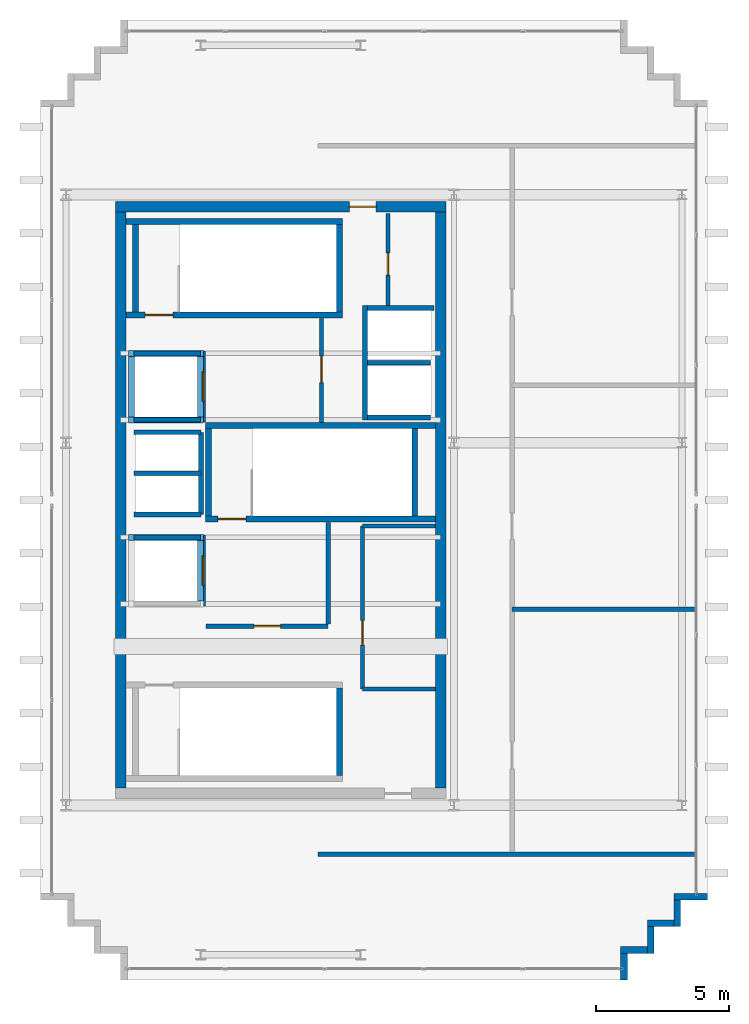
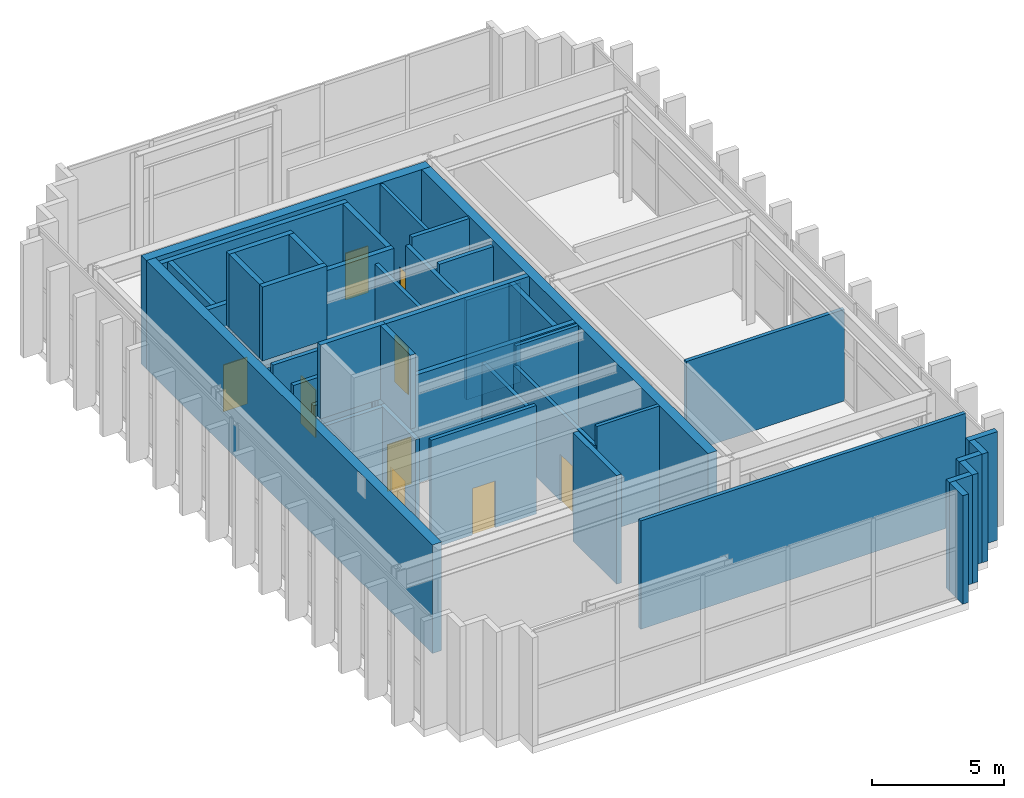
# One storey, part 12 of 14: 46 walls, 9 doors, 9 openings.
"""IFC4 building model written with IfcOpenShell, lengths in metres."""

from ifc_helpers import new_model, si_unit, direction, frame, frame_2d, origin, place, context, subcontext, project, spatial, rectangle, extrude, source, transform, mapped, material, layer, layer_set, type_object, element, fill, save


model = new_model("IFC4")

# Units and contexts
model_context = context("Model", 3, precision=1e-05, world=origin(), true_north=direction((0.0, 1.0)))
body_context = subcontext(model_context, "Body", "Model", "MODEL_VIEW")
ifc_project = project(units=[si_unit("LENGTHUNIT", "METRE"), si_unit("AREAUNIT", "SQUARE_METRE"), si_unit("VOLUMEUNIT", "CUBIC_METRE"), si_unit("PLANEANGLEUNIT", "RADIAN"), si_unit("MASSUNIT", "GRAM", prefix="KILO")], contexts=[model_context])

# Site, building, storey
site_placement = place(None, origin())
site = spatial("IfcSite", under=ifc_project, at=site_placement, CompositionType="ELEMENT")
building_placement = place(site_placement, origin())
building = spatial("IfcBuilding", under=site, at=building_placement, Name="Ocotamira Hotel", CompositionType="ELEMENT")
storey_placement = place(building_placement, frame((0.0, 0.0, 309.60009765625)))
storey = spatial("IfcBuildingStorey", under=building, at=storey_placement, Name="L79", CompositionType="ELEMENT", Elevation=309.60009765625)

# Wall, opening, door
ifc_material_1 = material(Name="Concrete C50/60", Category="concrete")
ifc_layer_1 = layer(ifc_material_1, 0.39990234375)
ifc_layer_set_1 = layer_set([ifc_layer_1], Name="Concrete C50/60")
wall_type_1 = type_object("IfcWallType", Name="WL-CORE-400", PredefinedType="SHEAR", material=ifc_layer_set_1)
wall_1_placement = place(storey_placement, frame((10.800048828125, 37.0, 0.0), z_axis=(0.0, 0.0, 1.0), x_axis=(1.0, 0.0, 0.0)))
wall_1 = element("IfcWall", 1, at=wall_1_placement, inside=storey, type_object=wall_type_1, Name="L79 Shear Core Wall WCORE-N", PredefinedType="SHEAR", context=body_context, shape_type="SweptSolid", body=[
    extrude(rectangle(XDim=12.39990234375, YDim=0.39990234375, at=frame_2d((6.199951171875, 0.0))), origin(), (0.0, 0.0, 1.0), 5.0),
])
opening_1_placement = place(wall_1_placement, frame((8.780029296875, 0.0, 0.0)))
opening_1 = element("IfcOpeningElement", 2, at=opening_1_placement, cuts=wall_1, Name="Opening D-FR2", PredefinedType="OPENING", context=body_context, shape_type="SweptSolid", body=[
    extrude(rectangle(XDim=1.0, YDim=2.14990234375, at=frame_2d((0.5, 1.074951171875))), frame((0.0, 0.2099609375, 0.0), z_axis=(0.0, -1.0, 0.0), x_axis=(1.0, 0.0, 0.0)), (0.0, 0.0, 1.0), 0.419921875),
])
ifc_material_2 = material(Name="Fire-rated acoustic timber-veneer door", Category="wood")
door_type_1 = type_object("IfcDoorType", Name="DR-FIRE-1000", OperationType="NOTDEFINED", PredefinedType="DOOR", material=ifc_material_2)
shared_shape_1 = source(origin(), body_context, "Body", "SweptSolid", [
    extrude(rectangle(XDim=1.0, YDim=2.14990234375, at=frame_2d((0.5, 1.074951171875))), frame((0.0, 0.02490234375, 0.0), z_axis=(0.0, -1.0, 0.0), x_axis=(1.0, 0.0, 0.0)), (0.0, 0.0, 1.0), 0.050048828125),
])
door_1_placement = place(opening_1_placement, origin())
door_1 = element("IfcDoor", 3, at=door_1_placement, inside=storey, type_object=door_type_1, Name="L79 Door ID-L79-WLOB-N-D [ID-L79-WLOB-N-D]", OperationType="SINGLE_SWING_RIGHT", OverallHeight=2.14990234375, OverallWidth=1.0, PredefinedType="DOOR", context=body_context, shape_type="MappedRepresentation", body=[
    mapped(shared_shape_1, transform((0.0, 0.0, 0.0), scale=1.0)),
])
fill(opening_1, door_1)

# Walls
for number, where, z_axis, x_axis, name in (
    (4, (11.0, 15.199951171875, 0.0), (0.0, 0.0, 1.0), (0.0, 1.0, 0.0), "L79 Shear Core Wall WCORE-W"),
    (5, (23.0, 15.199951171875, 0.0), (0.0, 0.0, 1.0), (0.0, 1.0, 0.0), "L79 Shear Core Wall WCORE-E"),
):
    element("IfcWall", number, at=place(storey_placement, frame(where, z_axis=z_axis, x_axis=x_axis)), inside=storey, type_object=wall_type_1, Name=name, PredefinedType="SHEAR", context=body_context, shape_type="SweptSolid", body=[
        extrude(rectangle(XDim=21.60009765625, YDim=0.39990234375, at=frame_2d((10.800048828125, 0.0))), origin(), (0.0, 0.0, 1.0), 5.0),
    ])
ifc_material_3 = material(Name="Precast concrete C45/55", Category="concrete")
ifc_layer_2 = layer(ifc_material_3, 0.25)
ifc_layer_set_2 = layer_set([ifc_layer_2], Name="Precast concrete C45/55")
wall_type_2 = type_object("IfcWallType", Name="WL-EXT-SER-250", PredefinedType="SOLIDWALL", material=ifc_layer_set_2)
for number, where, z_axis, x_axis, name in (
    (6, (29.875, 8.0, 0.0), (0.0, 0.0, 1.0), (0.0, 1.0, 0.0), "L79 Serrated Corner Wall 01"),
    (7, (29.75, 9.125, 0.0), (0.0, 0.0, 1.0), (1.0, 0.0, 0.0), "L79 Serrated Corner Wall 02"),
    (8, (30.875, 9.0, 0.0), (0.0, 0.0, 1.0), (0.0, 1.0, 0.0), "L79 Serrated Corner Wall 03"),
    (9, (30.75, 10.125, 0.0), (0.0, 0.0, 1.0), (1.0, 0.0, 0.0), "L79 Serrated Corner Wall 04"),
    (10, (31.875, 10.0, 0.0), (0.0, 0.0, 1.0), (0.0, 1.0, 0.0), "L79 Serrated Corner Wall 05"),
):
    element("IfcWall", number, at=place(storey_placement, frame(where, z_axis=z_axis, x_axis=x_axis)), inside=storey, type_object=wall_type_2, Name=name, PredefinedType="SOLIDWALL", context=body_context, shape_type="SweptSolid", body=[
        extrude(rectangle(XDim=1.0, YDim=0.25, at=frame_2d((0.5, 0.0))), origin(), (0.0, 0.0, 1.0), 5.0),
    ])
wall_2_placement = place(storey_placement, frame((31.75, 11.125, 0.0), z_axis=(0.0, 0.0, 1.0), x_axis=(1.0, 0.0, 0.0)))
element("IfcWall", 11, at=wall_2_placement, inside=storey, type_object=wall_type_2, Name="L79 Serrated Corner Wall 06", PredefinedType="SOLIDWALL", context=body_context, shape_type="SweptSolid", body=[
    extrude(rectangle(XDim=1.25, YDim=0.25, at=frame_2d((0.625, 0.0))), origin(), (0.0, 0.0, 1.0), 5.0),
])

# Wall, opening, door
ifc_material_4 = material(Name="Acoustic double-layer fire gypsum board partition", Category="gypsum")
ifc_layer_3 = layer(ifc_material_4, 0.159912109375)
ifc_layer_set_3 = layer_set([ifc_layer_3], Name="Acoustic double-layer fire gypsum board partition")
wall_type_3 = type_object("IfcWallType", Name="WL-FIRE-160", PredefinedType="PARTITIONING", material=ifc_layer_set_3)
wall_3_placement = place(storey_placement, frame((14.199951171875, 21.27001953125, 0.0), z_axis=(0.0, 0.0, 1.0), x_axis=(1.0, 0.0, 0.0)))
wall_3 = element("IfcWall", 12, at=wall_3_placement, inside=storey, type_object=wall_type_3, Name="L79 Interior Wall PW-L79-FSAE1-S", PredefinedType="PARTITIONING", context=body_context, shape_type="SweptSolid", body=[
    extrude(rectangle(XDim=4.580078125, YDim=0.159912109375, at=frame_2d((2.2900390625, 0.0))), origin(), (0.0, 0.0, 1.0), 5.0),
])
opening_2_placement = place(wall_3_placement, frame((1.800048828125, 0.0, 0.0)))
opening_2 = element("IfcOpeningElement", 13, at=opening_2_placement, cuts=wall_3, Name="Opening D-FR2", PredefinedType="OPENING", context=body_context, shape_type="SweptSolid", body=[
    extrude(rectangle(XDim=1.0, YDim=2.14990234375, at=frame_2d((0.5, 1.074951171875))), frame((0.0, 0.08984375, 0.0), z_axis=(0.0, -1.0, 0.0), x_axis=(1.0, 0.0, 0.0)), (0.0, 0.0, 1.0), 0.179931640625),
])
door_2_placement = place(opening_2_placement, origin())
door_2 = element("IfcDoor", 14, at=door_2_placement, inside=storey, type_object=door_type_1, Name="L79 Door ID-L79-FSAE1-D [ID-L79-FSAE1-D]", OperationType="SINGLE_SWING_LEFT", OverallHeight=2.14990234375, OverallWidth=1.0, PredefinedType="DOOR", context=body_context, shape_type="MappedRepresentation", body=[
    mapped(shared_shape_1, transform((0.0, 0.0, 0.0), scale=1.0)),
])
fill(opening_2, door_2)

# Wall
wall_4_placement = place(storey_placement, frame((18.780029296875, 21.35009765625, 0.0), z_axis=(0.0, 0.0, 1.0), x_axis=(0.0, 1.0, 0.0)))
element("IfcWall", 15, at=wall_4_placement, inside=storey, type_object=wall_type_3, Name="L79 Interior Wall PW-L79-FSAE1-E", PredefinedType="PARTITIONING", context=body_context, shape_type="SweptSolid", body=[
    extrude(rectangle(XDim=3.809814453125, YDim=0.159912109375, at=frame_2d((1.90478515625, 0.0))), origin(), (0.0, 0.0, 1.0), 4.5908203125),
])

# Wall, opening, door
wall_5_placement = place(storey_placement, frame((18.530029296875, 28.89990234375, 0.0), z_axis=(0.0, 0.0, 1.0), x_axis=(0.0, 1.0, 0.0)))
wall_5 = element("IfcWall", 16, at=wall_5_placement, inside=storey, type_object=wall_type_3, Name="L79 Interior Wall PW-L79-FSAE2-E", PredefinedType="PARTITIONING", context=body_context, shape_type="SweptSolid", body=[
    extrude(rectangle(XDim=3.900146484375, YDim=0.159912109375, at=frame_2d((1.9501953125, 0.0))), origin(), (0.0, 0.0, 1.0), 4.5908203125),
])
opening_3_placement = place(wall_5_placement, frame((1.5, 0.0, 0.0)))
opening_3 = element("IfcOpeningElement", 17, at=opening_3_placement, cuts=wall_5, Name="Opening D-FR2", PredefinedType="OPENING", context=body_context, shape_type="SweptSolid", body=[
    extrude(rectangle(XDim=1.0, YDim=2.14990234375, at=frame_2d((0.5, 1.074951171875))), frame((0.0, 0.08984375, 0.0), z_axis=(0.0, -1.0, 0.0), x_axis=(1.0, 0.0, 0.0)), (0.0, 0.0, 1.0), 0.179931640625),
])
door_3_placement = place(opening_3_placement, origin())
door_3 = element("IfcDoor", 18, at=door_3_placement, inside=storey, type_object=door_type_1, Name="L79 Door ID-L79-FSAE2-D [ID-L79-FSAE2-D]", OperationType="SINGLE_SWING_RIGHT", OverallHeight=2.14990234375, OverallWidth=1.0, PredefinedType="DOOR", context=body_context, shape_type="MappedRepresentation", body=[
    mapped(shared_shape_1, transform((0.0, 0.0, 0.0), scale=1.0)),
])
fill(opening_3, door_3)

# Walls
wall_6_placement = place(storey_placement, frame((18.39990234375, 12.719970703125, 0.0), z_axis=(0.0, 0.0, 1.0), x_axis=(1.0, 0.0, 0.0)))
element("IfcWall", 19, at=wall_6_placement, inside=storey, type_object=wall_type_3, Name="L79 Interior Wall PW-L79-L79-CS", PredefinedType="PARTITIONING", context=body_context, shape_type="SweptSolid", body=[
    extrude(rectangle(XDim=14.18017578125, YDim=0.159912109375, at=frame_2d((7.090087890625, 0.0))), origin(), (0.0, 0.0, 1.0), 5.0),
])
wall_7_placement = place(storey_placement, frame((25.679931640625, 21.89990234375, 0.0), z_axis=(0.0, 0.0, 1.0), x_axis=(1.0, 0.0, 0.0)))
element("IfcWall", 20, at=wall_7_placement, inside=storey, type_object=wall_type_3, Name="L79 Interior Wall PW-L79-L79-D1", PredefinedType="PARTITIONING", context=body_context, shape_type="SweptSolid", body=[
    extrude(rectangle(XDim=6.900146484375, YDim=0.159912109375, at=frame_2d((3.4501953125, 0.0))), origin(), (0.0, 0.0, 1.0), 4.220947265625),
])

# Wall, opening, door
ifc_material_5 = material(Name="Acoustic hospitality gypsum board partition", Category="gypsum")
ifc_layer_4 = layer(ifc_material_5, 0.14208984375)
ifc_layer_set_4 = layer_set([ifc_layer_4], Name="Acoustic hospitality gypsum board partition")
wall_type_4 = type_object("IfcWallType", Name="WL-PART-142", PredefinedType="PARTITIONING", material=ifc_layer_set_4)
wall_8_placement = place(storey_placement, frame((21.02001953125, 33.280029296875, 0.0), z_axis=(0.0, 0.0, 1.0), x_axis=(0.0, 1.0, 0.0)))
wall_8 = element("IfcWall", 21, at=wall_8_placement, inside=storey, type_object=wall_type_4, Name="L79 Interior Wall PW-L79-WC-NE-W", PredefinedType="PARTITIONING", context=body_context, shape_type="SweptSolid", body=[
    extrude(rectangle(XDim=3.469970703125, YDim=0.14208984375, at=frame_2d((1.73486328125, 0.0))), origin(), (0.0, 0.0, 1.0), 5.0),
])
opening_4_placement = place(wall_8_placement, frame((1.14990234375, 0.0, 0.0)))
opening_4 = element("IfcOpeningElement", 22, at=opening_4_placement, cuts=wall_8, Name="Opening D-SV1", PredefinedType="OPENING", context=body_context, shape_type="SweptSolid", body=[
    extrude(rectangle(XDim=0.840087890625, YDim=2.10009765625, at=frame_2d((0.419921875, 1.050048828125))), frame((0.0, 0.0810546875, 0.0), z_axis=(0.0, -1.0, 0.0), x_axis=(1.0, 0.0, 0.0)), (0.0, 0.0, 1.0), 0.162109375),
])
ifc_material_6 = material(Name="Fire-rated painted steel service door", Category="steel")
door_type_2 = type_object("IfcDoorType", Name="DR-SERV-840", OperationType="NOTDEFINED", PredefinedType="DOOR", material=ifc_material_6)
shared_shape_2 = source(origin(), body_context, "Body", "SweptSolid", [
    extrude(rectangle(XDim=0.840087890625, YDim=2.10009765625, at=frame_2d((0.419921875, 1.050048828125))), frame((0.0, 0.02490234375, 0.0), z_axis=(0.0, -1.0, 0.0), x_axis=(1.0, 0.0, 0.0)), (0.0, 0.0, 1.0), 0.050048828125),
])
door_4_placement = place(opening_4_placement, origin())
door_4 = element("IfcDoor", 23, at=door_4_placement, inside=storey, type_object=door_type_2, Name="L79 Door ID-L79-WC-NE-D [ID-L79-WC-NE-D]", OperationType="SINGLE_SWING_LEFT", OverallHeight=2.10009765625, OverallWidth=0.840087890625, PredefinedType="DOOR", context=body_context, shape_type="MappedRepresentation", body=[
    mapped(shared_shape_2, transform((0.0, 0.0, 0.0), scale=1.0)),
])
fill(opening_4, door_4)

# Walls
ifc_layer_5 = layer(ifc_material_5, 0.14990234375)
ifc_layer_set_5 = layer_set([ifc_layer_5], Name="Acoustic hospitality gypsum board partition")
wall_type_5 = type_object("IfcWallType", Name="WL-PART-150", PredefinedType="PARTITIONING", material=ifc_layer_set_5)
for number, where, z_axis, x_axis, name in (
    (24, (20.070068359375, 18.919921875, 0.0), (0.0, 0.0, 1.0), (1.0, 0.0, 0.0), "L79 Interior Wall PW-L79-W-FREED-HI-S"),
    (25, (20.070068359375, 25.030029296875, 0.0), (0.0, 0.0, 1.0), (1.0, 0.0, 0.0), "L79 Interior Wall PW-L79-W-FREED-HI-N"),
):
    element("IfcWall", number, at=place(storey_placement, frame(where, z_axis=z_axis, x_axis=x_axis)), inside=storey, type_object=wall_type_5, Name=name, PredefinedType="PARTITIONING", context=body_context, shape_type="SweptSolid", body=[
        extrude(rectangle(XDim=2.72998046875, YDim=0.14990234375, at=frame_2d((1.364990234375, 0.0))), origin(), (0.0, 0.0, 1.0), 5.0),
    ])

# Wall, opening, door
wall_9_placement = place(storey_placement, frame((20.070068359375, 18.919921875, 0.0), z_axis=(0.0, 0.0, 1.0), x_axis=(0.0, 1.0, 0.0)))
wall_9 = element("IfcWall", 26, at=wall_9_placement, inside=storey, type_object=wall_type_5, Name="L79 Interior Wall PW-L79-W-FREED-HI-W", PredefinedType="PARTITIONING", context=body_context, shape_type="SweptSolid", body=[
    extrude(rectangle(XDim=6.110107421875, YDim=0.14990234375, at=frame_2d((3.05517578125, 0.0))), origin(), (0.0, 0.0, 1.0), 4.099853515625),
])
opening_5_placement = place(wall_9_placement, frame((1.64990234375, 0.0, 0.0)))
opening_5 = element("IfcOpeningElement", 27, at=opening_5_placement, cuts=wall_9, Name="Opening D-SV3", PredefinedType="OPENING", context=body_context, shape_type="SweptSolid", body=[
    extrude(rectangle(XDim=0.919921875, YDim=2.14990234375, at=frame_2d((0.4599609375, 1.074951171875))), frame((0.0, 0.0849609375, 0.0), z_axis=(0.0, -1.0, 0.0), x_axis=(1.0, 0.0, 0.0)), (0.0, 0.0, 1.0), 0.169921875),
])
ifc_material_7 = material(Name="Fire-rated walnut hospitality door", Category="wood")
door_type_3 = type_object("IfcDoorType", Name="DR-SERV-920", OperationType="NOTDEFINED", PredefinedType="DOOR", material=ifc_material_7)
shared_shape_3 = source(origin(), body_context, "Body", "SweptSolid", [
    extrude(rectangle(XDim=0.919921875, YDim=2.14990234375, at=frame_2d((0.4599609375, 1.074951171875))), frame((0.0, 0.02490234375, 0.0), z_axis=(0.0, -1.0, 0.0), x_axis=(1.0, 0.0, 0.0)), (0.0, 0.0, 1.0), 0.050048828125),
])
door_5_placement = place(opening_5_placement, origin())
door_5 = element("IfcDoor", 28, at=door_5_placement, inside=storey, type_object=door_type_3, Name="L79 Door ID-L79-W-FREED-HI-D [ID-L79-W-FREED-HI-D]", OperationType="SINGLE_SWING_RIGHT", OverallHeight=2.14990234375, OverallWidth=0.919921875, PredefinedType="DOOR", context=body_context, shape_type="MappedRepresentation", body=[
    mapped(shared_shape_3, transform((0.0, 0.0, 0.0), scale=1.0)),
])
fill(opening_5, door_5)

# Walls
ifc_material_8 = material(Name="Fire-rated gypsum shaftliner board assembly", Category="gypsum")
ifc_layer_6 = layer(ifc_material_8, 0.179931640625)
ifc_layer_set_6 = layer_set([ifc_layer_6], Name="Fire-rated gypsum shaftliner board assembly")
wall_type_6 = type_object("IfcWallType", Name="WL-SHAFT-180", PredefinedType="SOLIDWALL", material=ifc_layer_set_6)
wall_10_placement = place(storey_placement, frame((20.159912109375, 29.0, 0.0), z_axis=(0.0, 0.0, 1.0), x_axis=(0.0, 1.0, 0.0)))
element("IfcWall", 29, at=wall_10_placement, inside=storey, type_object=wall_type_6, Name="L79 Interior Wall PW-L79-LFW-BANK-obs-F", PredefinedType="SOLIDWALL", context=body_context, shape_type="SweptSolid", body=[
    extrude(rectangle(XDim=4.2900390625, YDim=0.179931640625, at=frame_2d((2.14501953125, 0.0))), origin(), (0.0, 0.0, 1.0), 4.5908203125),
])
wall_11_placement = place(storey_placement, frame((20.25, 29.090087890625, 0.0), z_axis=(0.0, 0.0, 1.0), x_axis=(1.0, 0.0, 0.0)))
element("IfcWall", 30, at=wall_11_placement, inside=storey, type_object=wall_type_6, Name="L79 Interior Wall PW-L79-LFW-BANK-obs-S", PredefinedType="SOLIDWALL", context=body_context, shape_type="SweptSolid", body=[
    extrude(rectangle(XDim=2.360107421875, YDim=0.179931640625, at=frame_2d((1.18017578125, 0.0))), origin(), (0.0, 0.0, 1.0), 4.5908203125),
])
wall_12_placement = place(storey_placement, frame((20.25, 33.199951171875, 0.0), z_axis=(0.0, 0.0, 1.0), x_axis=(1.0, 0.0, 0.0)))
element("IfcWall", 31, at=wall_12_placement, inside=storey, type_object=wall_type_6, Name="L79 Interior Wall PW-L79-LFW-BANK-obs-N", PredefinedType="SOLIDWALL", context=body_context, shape_type="SweptSolid", body=[
    extrude(rectangle(XDim=2.5, YDim=0.179931640625, at=frame_2d((1.25, 0.0))), origin(), (0.0, 0.0, 1.0), 5.0),
])
wall_13_placement = place(storey_placement, frame((20.25, 31.14501953125, 0.0), z_axis=(0.0, 0.0, 1.0), x_axis=(1.0, 0.0, 0.0)))
element("IfcWall", 32, at=wall_13_placement, inside=storey, type_object=wall_type_6, Name="L79 Interior Wall PW-L79-LFW-DIV-LF-OBS1", PredefinedType="SOLIDWALL", context=body_context, shape_type="SweptSolid", body=[
    extrude(rectangle(XDim=2.360107421875, YDim=0.179931640625, at=frame_2d((1.18017578125, 0.0))), origin(), (0.0, 0.0, 1.0), 5.0),
])
wall_14_placement = place(storey_placement, frame((11.5, 24.590087890625, 0.0), z_axis=(0.0, 0.0, 1.0), x_axis=(1.0, 0.0, 0.0)))
element("IfcWall", 33, at=wall_14_placement, inside=storey, type_object=wall_type_6, Name="L79 Interior Wall PW-L79-LFW-LF-FSAE1-N", PredefinedType="SOLIDWALL", context=body_context, shape_type="SweptSolid", body=[
    extrude(rectangle(XDim=2.5, YDim=0.179931640625, at=frame_2d((1.25, 0.0))), origin(), (0.0, 0.0, 1.0), 4.5908203125),
])

# Wall, opening, door
wall_15_placement = place(storey_placement, frame((14.090087890625, 22.02001953125, 0.0), z_axis=(0.0, 0.0, 1.0), x_axis=(0.0, 1.0, 0.0)))
wall_15 = element("IfcWall", 34, at=wall_15_placement, inside=storey, type_object=wall_type_6, Name="L79 Interior Wall PW-L79-LFW-LF-FSAE1-E", PredefinedType="SOLIDWALL", context=body_context, shape_type="SweptSolid", body=[
    extrude(rectangle(XDim=2.659912109375, YDim=0.179931640625, at=frame_2d((1.330078125, 0.0))), origin(), (0.0, 0.0, 1.0), 4.5908203125),
])
opening_6_placement = place(wall_15_placement, frame((0.780029296875, 0.0, 0.0)))
opening_6 = element("IfcOpeningElement", 35, at=opening_6_placement, cuts=wall_15, Name="Opening LD-LF-FSAE1", PredefinedType="OPENING", context=body_context, shape_type="SweptSolid", body=[
    extrude(rectangle(XDim=1.10009765625, YDim=2.199951171875, at=frame_2d((0.550048828125, 1.10009765625))), frame((0.0, 0.10009765625, 0.0), z_axis=(0.0, -1.0, 0.0), x_axis=(1.0, 0.0, 0.0)), (0.0, 0.0, 1.0), 0.199951171875),
])
ifc_material_9 = material(Name="Brushed pale-metal stainless elevator landing door", Category="steel")
door_type_4 = type_object("IfcDoorType", Name="DR-LIFT-1100", OperationType="NOTDEFINED", PredefinedType="DOOR", material=ifc_material_9)
shared_shape_4 = source(origin(), body_context, "Body", "SweptSolid", [
    extrude(rectangle(XDim=1.10009765625, YDim=2.199951171875, at=frame_2d((0.550048828125, 1.10009765625))), frame((0.0, 0.02490234375, 0.0), z_axis=(0.0, -1.0, 0.0), x_axis=(1.0, 0.0, 0.0)), (0.0, 0.0, 1.0), 0.050048828125),
])
door_6_placement = place(opening_6_placement, origin())
door_6 = element("IfcDoor", 36, at=door_6_placement, inside=storey, type_object=door_type_4, Name="L79 Landing Door LD-LF-FSAE1 [ID-L79-LD-LF-FSAE1]", OperationType="DOUBLE_DOOR_SLIDING", OverallHeight=2.199951171875, OverallWidth=1.10009765625, PredefinedType="DOOR", context=body_context, shape_type="MappedRepresentation", body=[
    mapped(shared_shape_4, transform((0.0, 0.0, 0.0), scale=1.0)),
])
fill(opening_6, door_6)

# Walls
for number, where, z_axis, x_axis, name in (
    (37, (11.5, 29.010009765625, 0.0), (0.0, 0.0, 1.0), (1.0, 0.0, 0.0), "L79 Interior Wall PW-L79-LFW-LF-FSAE2-S"),
    (38, (11.5, 31.489990234375, 0.0), (0.0, 0.0, 1.0), (1.0, 0.0, 0.0), "L79 Interior Wall PW-L79-LFW-LF-FSAE2-N"),
):
    element("IfcWall", number, at=place(storey_placement, frame(where, z_axis=z_axis, x_axis=x_axis)), inside=storey, type_object=wall_type_6, Name=name, PredefinedType="SOLIDWALL", context=body_context, shape_type="SweptSolid", body=[
        extrude(rectangle(XDim=2.5, YDim=0.179931640625, at=frame_2d((1.25, 0.0))), origin(), (0.0, 0.0, 1.0), 4.5908203125),
    ])

# Wall, opening, door
wall_16_placement = place(storey_placement, frame((14.090087890625, 28.919921875, 0.0), z_axis=(0.0, 0.0, 1.0), x_axis=(0.0, 1.0, 0.0)))
wall_16 = element("IfcWall", 39, at=wall_16_placement, inside=storey, type_object=wall_type_6, Name="L79 Interior Wall PW-L79-LFW-LF-FSAE2-E", PredefinedType="SOLIDWALL", context=body_context, shape_type="SweptSolid", body=[
    extrude(rectangle(XDim=2.66015625, YDim=0.179931640625, at=frame_2d((1.330078125, 0.0))), origin(), (0.0, 0.0, 1.0), 4.5908203125),
])
opening_7_placement = place(wall_16_placement, frame((0.780029296875, 0.0, 0.0)))
opening_7 = element("IfcOpeningElement", 40, at=opening_7_placement, cuts=wall_16, Name="Opening LD-LF-FSAE2", PredefinedType="OPENING", context=body_context, shape_type="SweptSolid", body=[
    extrude(rectangle(XDim=1.10009765625, YDim=2.199951171875, at=frame_2d((0.550048828125, 1.10009765625))), frame((0.0, 0.10009765625, 0.0), z_axis=(0.0, -1.0, 0.0), x_axis=(1.0, 0.0, 0.0)), (0.0, 0.0, 1.0), 0.199951171875),
])
door_7_placement = place(opening_7_placement, origin())
door_7 = element("IfcDoor", 41, at=door_7_placement, inside=storey, type_object=door_type_4, Name="L79 Landing Door LD-LF-FSAE2 [ID-L79-LD-LF-FSAE2]", OperationType="DOUBLE_DOOR_SLIDING", OverallHeight=2.199951171875, OverallWidth=1.10009765625, PredefinedType="DOOR", context=body_context, shape_type="MappedRepresentation", body=[
    mapped(shared_shape_4, transform((0.0, 0.0, 0.0), scale=1.0)),
])
fill(opening_7, door_7)

# Walls
for number, where, z_axis, x_axis, name in (
    (42, (11.5, 25.4599609375, 0.0), (0.0, 0.0, 1.0), (1.0, 0.0, 0.0), "L79 Interior Wall PW-L79-RSW-S"),
    (43, (11.5, 27.0, 0.0), (0.0, 0.0, 1.0), (1.0, 0.0, 0.0), "L79 Interior Wall PW-L79-RSW-MID"),
    (44, (11.5, 28.5400390625, 0.0), (0.0, 0.0, 1.0), (1.0, 0.0, 0.0), "L79 Interior Wall PW-L79-RSW-N"),
):
    element("IfcWall", number, at=place(storey_placement, frame(where, z_axis=z_axis, x_axis=x_axis)), inside=storey, type_object=wall_type_6, Name=name, PredefinedType="SOLIDWALL", context=body_context, shape_type="SweptSolid", body=[
        extrude(rectangle(XDim=2.510009765625, YDim=0.179931640625, at=frame_2d((1.2548828125, 0.0))), origin(), (0.0, 0.0, 1.0), 5.0),
    ])
wall_17_placement = place(storey_placement, frame((14.010009765625, 25.4599609375, 0.0), z_axis=(0.0, 0.0, 1.0), x_axis=(0.0, 1.0, 0.0)))
element("IfcWall", 45, at=wall_17_placement, inside=storey, type_object=wall_type_6, Name="L79 Interior Wall PW-L79-RSW-E", PredefinedType="SOLIDWALL", context=body_context, shape_type="SweptSolid", body=[
    extrude(rectangle(XDim=3.080078125, YDim=0.179931640625, at=frame_2d((1.5400390625, 0.0))), origin(), (0.0, 0.0, 1.0), 5.0),
])
ifc_layer_7 = layer(ifc_material_1, 0.219970703125)
ifc_layer_set_7 = layer_set([ifc_layer_7], Name="Concrete C50/60")
wall_type_7 = type_object("IfcWallType", Name="WL-STAIR-220", PredefinedType="SHEAR", material=ifc_layer_set_7)
wall_18_placement = place(storey_placement, frame((19.199951171875, 15.669921875, 0.0), z_axis=(0.0, 0.0, 1.0), x_axis=(0.0, 1.0, 0.0)))
element("IfcWall", 46, at=wall_18_placement, inside=storey, type_object=wall_type_7, Name="L79 Stair Shaft Structural Wall ST-1-E", PredefinedType="SHEAR", context=body_context, shape_type="SweptSolid", body=[
    extrude(rectangle(XDim=3.280029296875, YDim=0.219970703125, at=frame_2d((1.64013671875, 0.0))), origin(), (0.0, 0.0, 1.0), 5.0),
])

# Wall, opening, door
wall_19_placement = place(storey_placement, frame((11.199951171875, 32.93994140625, 0.0), z_axis=(0.0, 0.0, 1.0), x_axis=(1.0, 0.0, 0.0)))
wall_19 = element("IfcWall", 47, at=wall_19_placement, inside=storey, type_object=wall_type_7, Name="L79 Stair Shaft Structural Wall ST-2-S", PredefinedType="SHEAR", context=body_context, shape_type="SweptSolid", body=[
    extrude(rectangle(XDim=8.110107421875, YDim=0.219970703125, at=frame_2d((4.05517578125, 0.0))), origin(), (0.0, 0.0, 1.0), 5.0),
])
opening_8_placement = place(wall_19_placement, frame((0.719970703125, 0.0, 0.0)))
opening_8 = element("IfcOpeningElement", 48, at=opening_8_placement, cuts=wall_19, Name="Opening D-ST2", PredefinedType="OPENING", context=body_context, shape_type="SweptSolid", body=[
    extrude(rectangle(XDim=1.050048828125, YDim=2.14990234375, at=frame_2d((0.52490234375, 1.074951171875))), frame((0.0, 0.1201171875, 0.0), z_axis=(0.0, -1.0, 0.0), x_axis=(1.0, 0.0, 0.0)), (0.0, 0.0, 1.0), 0.239990234375),
])
ifc_material_10 = material(Name="Insulated painted hollow-metal fire exit door", Category="steel")
door_type_5 = type_object("IfcDoorType", Name="DR-STAIR-1050", OperationType="NOTDEFINED", PredefinedType="DOOR", material=ifc_material_10)
shared_shape_5 = source(origin(), body_context, "Body", "SweptSolid", [
    extrude(rectangle(XDim=1.050048828125, YDim=2.14990234375, at=frame_2d((0.52490234375, 1.074951171875))), frame((0.0, 0.02490234375, 0.0), z_axis=(0.0, -1.0, 0.0), x_axis=(1.0, 0.0, 0.0)), (0.0, 0.0, 1.0), 0.050048828125),
])
door_8_placement = place(opening_8_placement, origin())
door_8 = element("IfcDoor", 49, at=door_8_placement, inside=storey, type_object=door_type_5, Name="L79 Door ID-L79-STD-ST-2 [ID-L79-STD-ST-2]", OperationType="SINGLE_SWING_LEFT", OverallHeight=2.14990234375, OverallWidth=1.050048828125, PredefinedType="DOOR", context=body_context, shape_type="MappedRepresentation", body=[
    mapped(shared_shape_5, transform((0.0, 0.0, 0.0), scale=1.0)),
])
fill(opening_8, door_8)

# Walls
wall_20_placement = place(storey_placement, frame((11.199951171875, 36.43994140625, 0.0), z_axis=(0.0, 0.0, 1.0), x_axis=(1.0, 0.0, 0.0)))
element("IfcWall", 50, at=wall_20_placement, inside=storey, type_object=wall_type_7, Name="L79 Stair Shaft Structural Wall ST-2-N", PredefinedType="SHEAR", context=body_context, shape_type="SweptSolid", body=[
    extrude(rectangle(XDim=8.110107421875, YDim=0.219970703125, at=frame_2d((4.05517578125, 0.0))), origin(), (0.0, 0.0, 1.0), 5.0),
])
for number, where, z_axis, x_axis, name in (
    (51, (11.56005859375, 33.050048828125, 0.0), (0.0, 0.0, 1.0), (0.0, 1.0, 0.0), "L79 Stair Shaft Structural Wall ST-2-W"),
    (52, (19.199951171875, 33.050048828125, 0.0), (0.0, 0.0, 1.0), (0.0, 1.0, 0.0), "L79 Stair Shaft Structural Wall ST-2-E"),
):
    element("IfcWall", number, at=place(storey_placement, frame(where, z_axis=z_axis, x_axis=x_axis)), inside=storey, type_object=wall_type_7, Name=name, PredefinedType="SHEAR", context=body_context, shape_type="SweptSolid", body=[
        extrude(rectangle(XDim=3.280029296875, YDim=0.219970703125, at=frame_2d((1.64013671875, 0.0))), origin(), (0.0, 0.0, 1.0), 5.0),
    ])

# Wall, opening, door
wall_21_placement = place(storey_placement, frame((14.179931640625, 25.2900390625, 0.0), z_axis=(0.0, 0.0, 1.0), x_axis=(1.0, 0.0, 0.0)))
wall_21 = element("IfcWall", 53, at=wall_21_placement, inside=storey, type_object=wall_type_7, Name="L79 Stair Shaft Structural Wall ST-3-S", PredefinedType="SHEAR", context=body_context, shape_type="SweptSolid", body=[
    extrude(rectangle(XDim=8.6201171875, YDim=0.219970703125, at=frame_2d((4.31005859375, 0.0))), origin(), (0.0, 0.0, 1.0), 5.0),
])
opening_9_placement = place(wall_21_placement, frame((0.469970703125, 0.0, 0.0)))
opening_9 = element("IfcOpeningElement", 54, at=opening_9_placement, cuts=wall_21, Name="Opening D-ST2", PredefinedType="OPENING", context=body_context, shape_type="SweptSolid", body=[
    extrude(rectangle(XDim=1.050048828125, YDim=2.14990234375, at=frame_2d((0.52490234375, 1.074951171875))), frame((0.0, 0.1201171875, 0.0), z_axis=(0.0, -1.0, 0.0), x_axis=(1.0, 0.0, 0.0)), (0.0, 0.0, 1.0), 0.239990234375),
])
door_9_placement = place(opening_9_placement, origin())
door_9 = element("IfcDoor", 55, at=door_9_placement, inside=storey, type_object=door_type_5, Name="L79 Door ID-L79-STD-ST-3 [ID-L79-STD-ST-3]", OperationType="SINGLE_SWING_RIGHT", OverallHeight=2.14990234375, OverallWidth=1.050048828125, PredefinedType="DOOR", context=body_context, shape_type="MappedRepresentation", body=[
    mapped(shared_shape_5, transform((0.0, 0.0, 0.0), scale=1.0)),
])
fill(opening_9, door_9)

# Walls
wall_22_placement = place(storey_placement, frame((14.179931640625, 28.7900390625, 0.0), z_axis=(0.0, 0.0, 1.0), x_axis=(1.0, 0.0, 0.0)))
element("IfcWall", 56, at=wall_22_placement, inside=storey, type_object=wall_type_7, Name="L79 Stair Shaft Structural Wall ST-3-N", PredefinedType="SHEAR", context=body_context, shape_type="SweptSolid", body=[
    extrude(rectangle(XDim=8.6201171875, YDim=0.219970703125, at=frame_2d((4.31005859375, 0.0))), origin(), (0.0, 0.0, 1.0), 5.0),
])
for number, where, z_axis, x_axis, name in (
    (57, (14.2900390625, 25.39990234375, 0.0), (0.0, 0.0, 1.0), (0.0, 1.0, 0.0), "L79 Stair Shaft Structural Wall ST-3-W"),
    (58, (22.030029296875, 25.39990234375, 0.0), (0.0, 0.0, 1.0), (0.0, 1.0, 0.0), "L79 Stair Shaft Structural Wall ST-3-E"),
):
    element("IfcWall", number, at=place(storey_placement, frame(where, z_axis=z_axis, x_axis=x_axis)), inside=storey, type_object=wall_type_7, Name=name, PredefinedType="SHEAR", context=body_context, shape_type="SweptSolid", body=[
        extrude(rectangle(XDim=3.280029296875, YDim=0.219970703125, at=frame_2d((1.64013671875, 0.0))), origin(), (0.0, 0.0, 1.0), 5.0),
    ])
wall_23_placement = place(storey_placement, frame((11.2900390625, 24.60009765625, 5.0), z_axis=(0.0, 0.0, 1.0), x_axis=(1.0, 0.0, 0.0)))
element("IfcWall", 59, at=wall_23_placement, inside=storey, type_object=wall_type_7, Name="FSAE 1 Overrun Enclosure Wall N", PredefinedType="SHEAR", context=body_context, shape_type="SweptSolid", body=[
    extrude(rectangle(XDim=2.820068359375, YDim=0.219970703125, at=frame_2d((1.41015625, 0.0))), origin(), (0.0, 0.0, 1.0), 3.39990234375),
])
wall_24_placement = place(storey_placement, frame((14.0, 22.2099609375, 5.0), z_axis=(0.0, 0.0, 1.0), x_axis=(0.0, 1.0, 0.0)))
element("IfcWall", 60, at=wall_24_placement, inside=storey, type_object=wall_type_7, Name="FSAE 1 Overrun Enclosure Wall E", PredefinedType="SHEAR", context=body_context, shape_type="SweptSolid", body=[
    extrude(rectangle(XDim=2.280029296875, YDim=0.219970703125, at=frame_2d((1.14013671875, 0.0))), origin(), (0.0, 0.0, 1.0), 3.39990234375),
])
for number, where, z_axis, x_axis, name in (
    (61, (11.2900390625, 29.0, 5.0), (0.0, 0.0, 1.0), (1.0, 0.0, 0.0), "FSAE 2 Overrun Enclosure Wall S"),
    (62, (11.2900390625, 31.5, 5.0), (0.0, 0.0, 1.0), (1.0, 0.0, 0.0), "FSAE 2 Overrun Enclosure Wall N"),
):
    element("IfcWall", number, at=place(storey_placement, frame(where, z_axis=z_axis, x_axis=x_axis)), inside=storey, type_object=wall_type_7, Name=name, PredefinedType="SHEAR", context=body_context, shape_type="SweptSolid", body=[
        extrude(rectangle(XDim=2.820068359375, YDim=0.219970703125, at=frame_2d((1.41015625, 0.0))), origin(), (0.0, 0.0, 1.0), 3.39990234375),
    ])
for number, where, z_axis, x_axis, name in (
    (63, (11.39990234375, 29.110107421875, 5.0), (0.0, 0.0, 1.0), (0.0, 1.0, 0.0), "FSAE 2 Overrun Enclosure Wall W"),
    (64, (14.0, 29.110107421875, 5.0), (0.0, 0.0, 1.0), (0.0, 1.0, 0.0), "FSAE 2 Overrun Enclosure Wall E"),
):
    element("IfcWall", number, at=place(storey_placement, frame(where, z_axis=z_axis, x_axis=x_axis)), inside=storey, type_object=wall_type_7, Name=name, PredefinedType="SHEAR", context=body_context, shape_type="SweptSolid", body=[
        extrude(rectangle(XDim=2.27978515625, YDim=0.219970703125, at=frame_2d((1.139892578125, 0.0))), origin(), (0.0, 0.0, 1.0), 3.39990234375),
    ])

save(model, "model.ifc")
